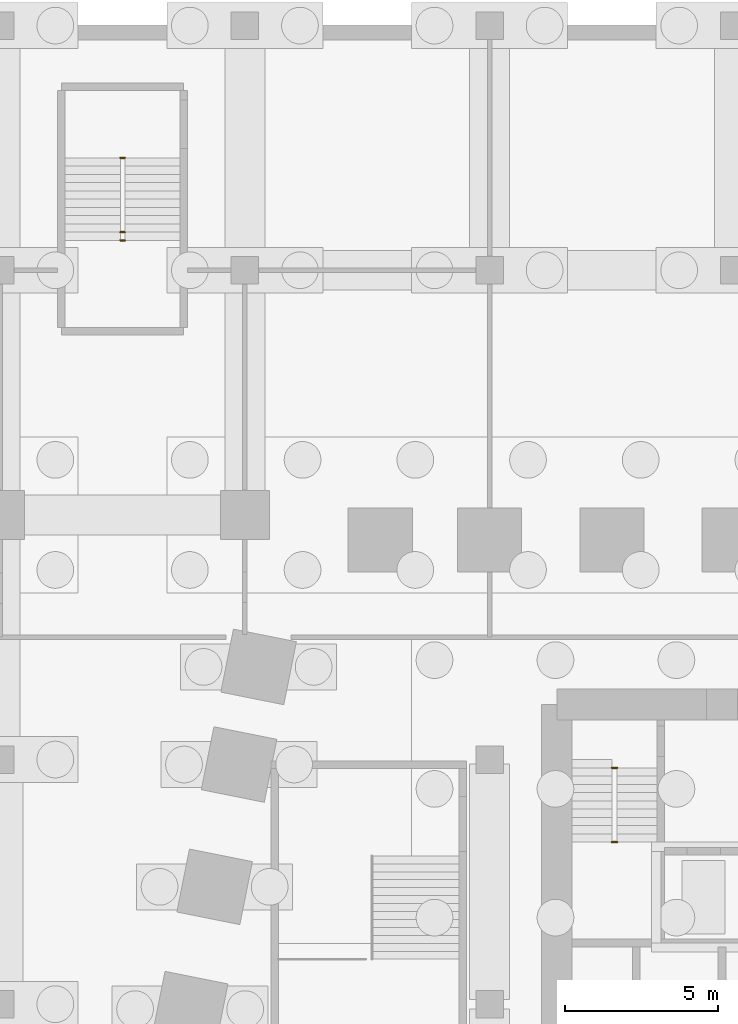
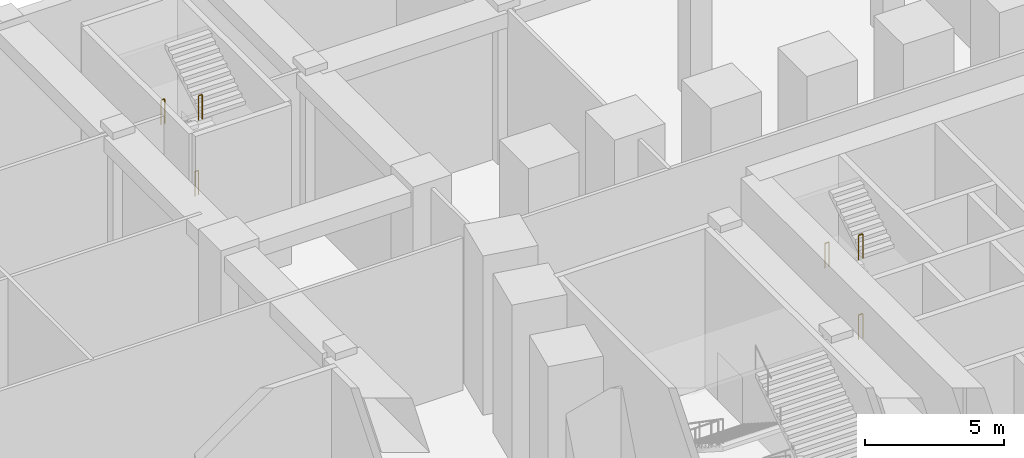
# One storey, part 25 of 30: 6 railings.
"""IFC4 building model written with IfcOpenShell, lengths in metres."""

from ifc_helpers import new_model, si_unit, direction, frame, origin, origin_2d, place, context, subcontext, project, spatial, circle, extrude, material, type_object, element, save


model = new_model("IFC4")

# Units and contexts
model_context = context("Model", 3, precision=1e-05, world=origin(), true_north=direction((0.0, 1.0)))
body_context = subcontext(model_context, "Body", "Model", "MODEL_VIEW")
ifc_project = project(units=[si_unit("LENGTHUNIT", "METRE"), si_unit("AREAUNIT", "SQUARE_METRE"), si_unit("VOLUMEUNIT", "CUBIC_METRE"), si_unit("PLANEANGLEUNIT", "RADIAN"), si_unit("MASSUNIT", "GRAM", prefix="KILO")], contexts=[model_context])

# Site, building, storey
site_placement = place(None, origin())
site = spatial("IfcSite", under=ifc_project, at=site_placement, CompositionType="ELEMENT")
building_placement = place(site_placement, origin())
building = spatial("IfcBuilding", under=site, at=building_placement, Name="Isbrekke Arena Tower", CompositionType="ELEMENT")
storey_placement = place(building_placement, frame((0.0, 0.0, -7.0)))
storey = spatial("IfcBuildingStorey", under=building, at=storey_placement, Name="B1", CompositionType="ELEMENT", Elevation=-7.0)

# Railings
ifc_material = material(Name="Steel stair guard, vertical bars, steel handrail", Category="steel")
railing_type = type_object("IfcRailingType", Name="GR3 STAIR WELL GUARD 1100", PredefinedType="GUARDRAIL", material=ifc_material)
for number, where, name in (
    (1, (-28.074951171875, 39.2451171875, 1.666748046875), "GR3 stair well guard P2 B1"),
    (2, (-28.074951171875, 41.675048828125, 3.333251953125), "GR3 stair well guard P2 B1"),
    (3, (-28.074951171875, 38.97509765625, 5.166748046875), "GR3 stair well guard P2 B1"),
):
    element("IfcRailing", number, at=place(storey_placement, frame(where)), inside=storey, type_object=railing_type, Name=name, PredefinedType="GUARDRAIL", context=body_context, shape_type="SweptSolid", body=[
        extrude(circle(Radius=0.02392578125, at=origin_2d()), frame((0.0, 0.0, 1.076171875), z_axis=(1.0, 0.0, 0.0), x_axis=(0.0, 1.0, 0.0)), (0.0, 0.0, 1.0), 0.14990234375),
        extrude(circle(Radius=0.02099609375, at=origin_2d()), origin(), (0.0, 0.0, 1.0), 1.052001953125),
        extrude(circle(Radius=0.02099609375, at=origin_2d()), frame((0.14990234375, 0.0, 0.0)), (0.0, 0.0, 1.0), 1.052001953125),
    ])
for number, where, name in (
    (4, (-12.0, 19.300048828125, 1.833251953125), "GR3 stair well guard ST1 B1"),
    (5, (-12.0, 21.72998046875, 3.5), "GR3 stair well guard ST1 B1"),
    (6, (-12.0, 19.300048828125, 5.333251953125), "GR3 stair well guard ST1 B1"),
):
    element("IfcRailing", number, at=place(storey_placement, frame(where)), inside=storey, type_object=railing_type, Name=name, PredefinedType="GUARDRAIL", context=body_context, shape_type="SweptSolid", body=[
        extrude(circle(Radius=0.02392578125, at=origin_2d()), frame((0.0, 0.0, 1.076171875), z_axis=(1.0, 0.0, 0.0), x_axis=(0.0, 1.0, 0.0)), (0.0, 0.0, 1.0), 0.175048828125),
        extrude(circle(Radius=0.02099609375, at=origin_2d()), origin(), (0.0, 0.0, 1.0), 1.052001953125),
        extrude(circle(Radius=0.02099609375, at=origin_2d()), frame((0.175048828125, 0.0, 0.0)), (0.0, 0.0, 1.0), 1.052001953125),
    ])

save(model, "model.ifc")
